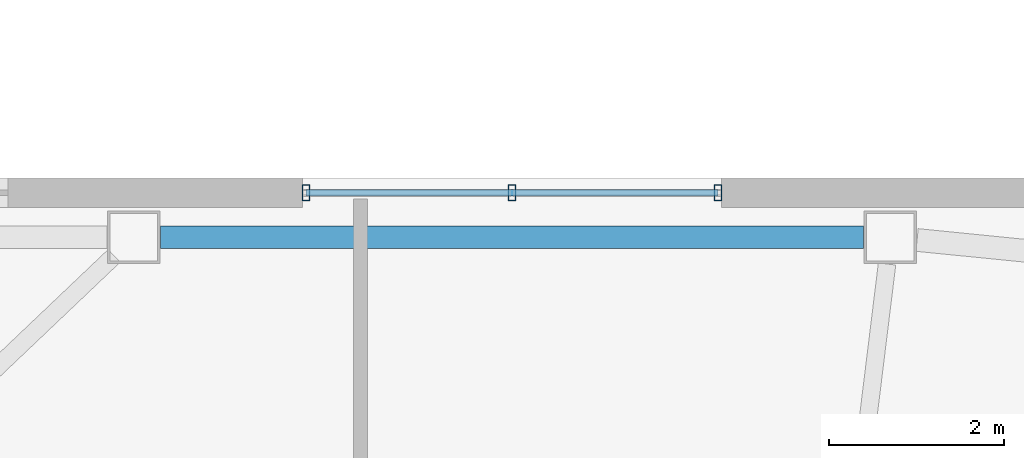
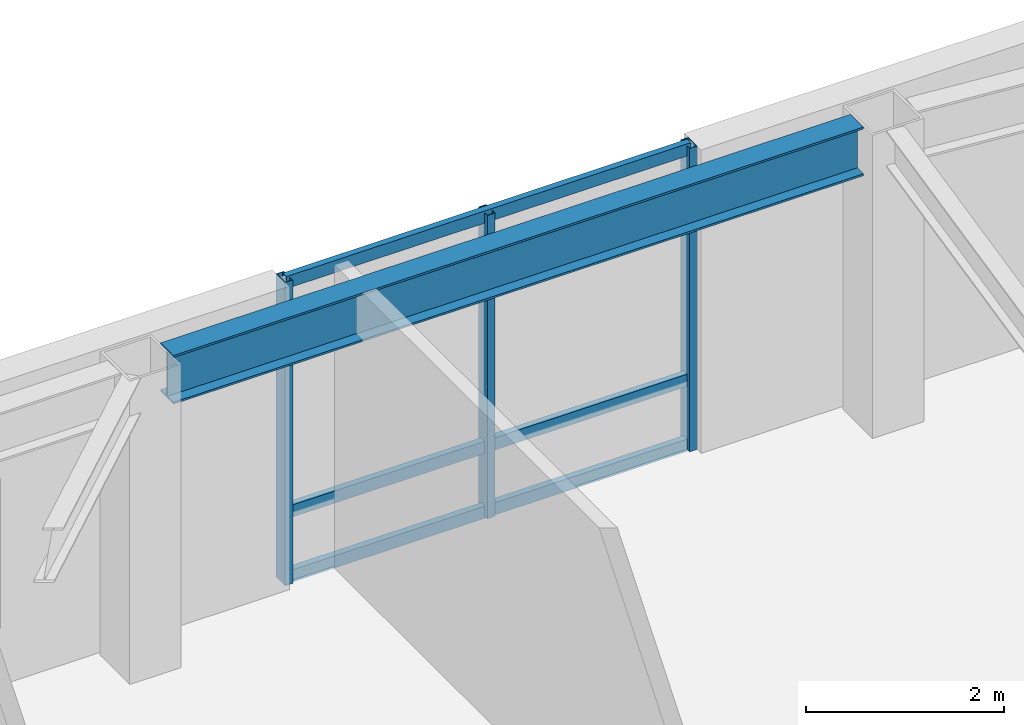
# One storey, part 8 of 18: 6 members, 1 beam, 1 element without a shape of its own.
"""IFC4 building model written with IfcOpenShell, lengths in metres."""

from ifc_helpers import new_model, si_unit, direction, frame, origin, origin_2d, place, context, subcontext, project, spatial, hollow_rectangle, i_section, extrude, material, layer, layer_set, material_profile, profile_set, type_object, element, aggregate, save


model = new_model("IFC4")

# Units and contexts
model_context = context("Model", 3, precision=1e-05, world=origin(), true_north=direction((0.0, 1.0)))
body_context = subcontext(model_context, "Body", "Model", "MODEL_VIEW")
ifc_project = project(units=[si_unit("LENGTHUNIT", "METRE"), si_unit("AREAUNIT", "SQUARE_METRE"), si_unit("VOLUMEUNIT", "CUBIC_METRE"), si_unit("PLANEANGLEUNIT", "RADIAN"), si_unit("MASSUNIT", "GRAM", prefix="KILO")], contexts=[model_context])

# Site, building, storey
site_placement = place(None, origin())
site = spatial("IfcSite", under=ifc_project, at=site_placement, CompositionType="ELEMENT")
building_placement = place(site_placement, origin())
building = spatial("IfcBuilding", under=site, at=building_placement, Name="Tavrogorsk Clinical Tower", CompositionType="ELEMENT")
storey_placement = place(building_placement, frame((0.0, 0.0, 180.199951171875)))
storey = spatial("IfcBuildingStorey", under=building, at=storey_placement, Name="L41", CompositionType="ELEMENT", Elevation=180.199951171875)

# Curtain wall, members
ifc_material_1 = material(Name="Anodised aluminium and triple IGU glazing", Category="aluminium")
ifc_layer = layer(ifc_material_1, 0.179931640625)
ifc_layer_set = layer_set([ifc_layer], Name="Anodised aluminium and triple IGU glazing")
curtain_wall_type = type_object("IfcCurtainWallType", Name="CW2_NorthSlot", PredefinedType="NOTDEFINED", material=ifc_layer_set)
curtain_wall_placement = place(storey_placement, origin())
curtain_wall = element("IfcCurtainWall", 1, at=curtain_wall_placement, inside=storey, type_object=curtain_wall_type, Name="L41 Curtain Wall CW-L41-N-SLOT-1", PredefinedType="NOTDEFINED")
ifc_material_2 = material(Name="Anodised aluminium alloy AW-6060", Category="aluminium")
ifc_material_profile_1 = material_profile(ifc_material_2, hollow_rectangle(XDim=0.090087890625, YDim=0.179931640625, WallThickness=0.00634765625, at=origin_2d()), Name="RHS-180x90x6.3")
ifc_profile_set_1 = profile_set([ifc_material_profile_1], Name="Anodised aluminium alloy AW-6060")
member_type_1 = type_object("IfcMemberType", Name="CwMullion_180x90", PredefinedType="MULLION", material=ifc_profile_set_1)
member_1_placement = place(storey_placement, frame((-3.90380859375, 26.929931640625, 0.0), z_axis=(0.0, 0.0, 1.0), x_axis=(-1.0, 0.0, 0.0)))
member_1 = element("IfcMember", 2, at=member_1_placement, type_object=member_type_1, Name="CW-L41-N-SLOT-1 Mullion 1", PredefinedType="MULLION", context=body_context, shape_type="SweptSolid", body=[
    extrude(hollow_rectangle(XDim=0.090087890625, YDim=0.179931640625, WallThickness=0.00634765625, at=origin_2d()), origin(), (0.0, 0.0, 1.0), 3.739990234375),
])
member_2_placement = place(storey_placement, frame((-6.262939453125, 26.929931640625, 0.0), z_axis=(0.0, 0.0, 1.0), x_axis=(-1.0, 0.0, 0.0)))
member_2 = element("IfcMember", 3, at=member_2_placement, type_object=member_type_1, Name="CW-L41-N-SLOT-1 Mullion 2", PredefinedType="MULLION", context=body_context, shape_type="SweptSolid", body=[
    extrude(hollow_rectangle(XDim=0.090087890625, YDim=0.179931640625, WallThickness=0.00634765625, at=origin_2d()), origin(), (0.0, 0.0, 1.0), 3.739990234375),
])
member_3_placement = place(storey_placement, frame((-8.621826171875, 26.929931640625, 0.0), z_axis=(0.0, 0.0, 1.0), x_axis=(-1.0, 0.0, 0.0)))
member_3 = element("IfcMember", 4, at=member_3_placement, type_object=member_type_1, Name="CW-L41-N-SLOT-1 Mullion 3", PredefinedType="MULLION", context=body_context, shape_type="SweptSolid", body=[
    extrude(hollow_rectangle(XDim=0.090087890625, YDim=0.179931640625, WallThickness=0.00634765625, at=origin_2d()), origin(), (0.0, 0.0, 1.0), 3.739990234375),
])
ifc_material_3 = material(Name="Anodised aluminium alloy AW-6060", Category="aluminium")
ifc_material_profile_2 = material_profile(ifc_material_3, hollow_rectangle(XDim=0.074951171875, YDim=0.14990234375, WallThickness=0.0048828125, at=origin_2d()), Name="RHS-150x75x5")
ifc_profile_set_2 = profile_set([ifc_material_profile_2], Name="Anodised aluminium alloy AW-6060")
member_type_2 = type_object("IfcMemberType", Name="CwTransom_150x75", PredefinedType="USERDEFINED", material=ifc_profile_set_2)
member_4_placement = place(storey_placement, frame((-3.90380859375, 26.929931640625, 0.050048828125), z_axis=(-1.0, 0.0, 0.0), x_axis=(0.0, -1.0, 0.0)))
member_4 = element("IfcMember", 5, at=member_4_placement, type_object=member_type_2, Name="CW-L41-N-SLOT-1 Transom 1", ObjectType="TRANSOM", PredefinedType="USERDEFINED", context=body_context, shape_type="SweptSolid", body=[
    extrude(hollow_rectangle(XDim=0.074951171875, YDim=0.14990234375, WallThickness=0.0048828125, at=origin_2d()), origin(), (0.0, 0.0, 1.0), 4.718017578125),
])
member_5_placement = place(storey_placement, frame((-3.90380859375, 26.929931640625, 0.85009765625), z_axis=(-1.0, 0.0, 0.0), x_axis=(0.0, -1.0, 0.0)))
member_5 = element("IfcMember", 6, at=member_5_placement, type_object=member_type_2, Name="CW-L41-N-SLOT-1 Transom 2", ObjectType="TRANSOM", PredefinedType="USERDEFINED", context=body_context, shape_type="SweptSolid", body=[
    extrude(hollow_rectangle(XDim=0.074951171875, YDim=0.14990234375, WallThickness=0.0048828125, at=origin_2d()), origin(), (0.0, 0.0, 1.0), 4.718017578125),
])
member_6_placement = place(storey_placement, frame((-3.90380859375, 26.929931640625, 3.68994140625), z_axis=(-1.0, 0.0, 0.0), x_axis=(0.0, -1.0, 0.0)))
member_6 = element("IfcMember", 7, at=member_6_placement, type_object=member_type_2, Name="CW-L41-N-SLOT-1 Transom 3", ObjectType="TRANSOM", PredefinedType="USERDEFINED", context=body_context, shape_type="SweptSolid", body=[
    extrude(hollow_rectangle(XDim=0.074951171875, YDim=0.14990234375, WallThickness=0.0048828125, at=origin_2d()), origin(), (0.0, 0.0, 1.0), 4.718017578125),
])
aggregate(curtain_wall, [member_1, member_2, member_3, member_4, member_5, member_6])

# Beam
ifc_material_4 = material(Name="Structural steel S390", Category="steel")
ifc_material_profile_3 = material_profile(ifc_material_4, i_section(OverallWidth=0.260009765625, OverallDepth=0.60009765625, WebThickness=0.014892578125, FlangeThickness=0.02392578125, at=origin_2d()), Name="B-600x260x15x24")
ifc_profile_set_3 = profile_set([ifc_material_profile_3], Name="Structural steel S390")
beam_type = type_object("IfcBeamType", Name="SpandrelBeam_B600", PredefinedType="SPANDREL", material=ifc_profile_set_3)
beam_placement = place(storey_placement, frame((-2.239501953125, 26.419921875, 3.43994140625), z_axis=(-1.0, 0.0, 0.0), x_axis=(0.0, -1.0, 0.0)))
element("IfcBeam", 8, at=beam_placement, inside=storey, type_object=beam_type, Name="L41 Perimeter Spandrel N5-N6", PredefinedType="SPANDREL", context=body_context, shape_type="SweptSolid", body=[
    extrude(i_section(OverallWidth=0.260009765625, OverallDepth=0.60009765625, WebThickness=0.014892578125, FlangeThickness=0.02392578125, at=origin_2d()), origin(), (0.0, 0.0, 1.0), 8.046875),
])

save(model, "model.ifc")
